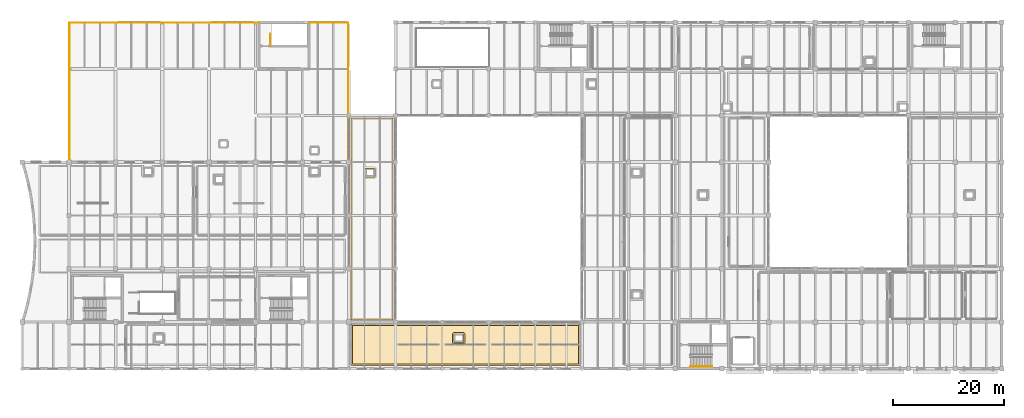
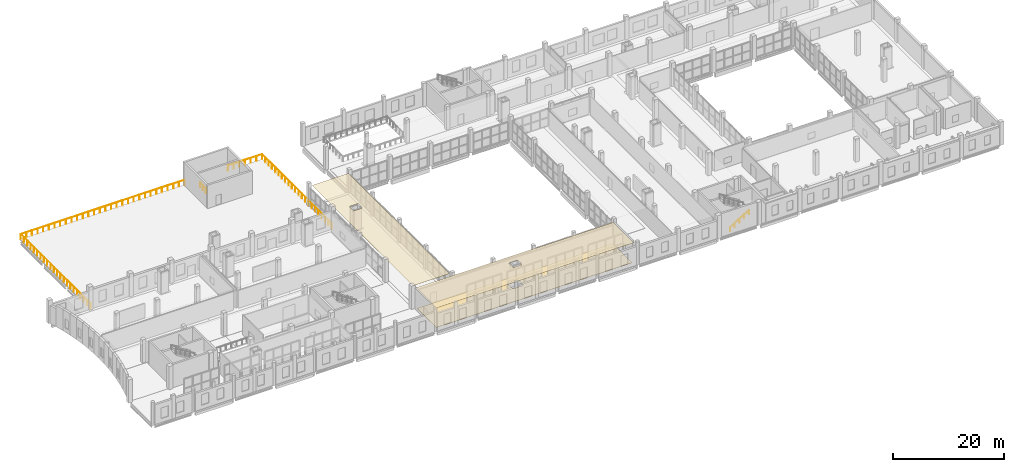
# One storey, part 68 of 73: 4 railings, 3 coverings.
"""IFC4 building model written with IfcOpenShell, lengths in metres."""

from ifc_helpers import new_model, si_unit, direction, frame, origin, origin_2d, place, context, subcontext, project, spatial, polyline, circle, outline, extrude, material, layer, layer_set, type_object, element, save


model = new_model("IFC4")

# Units and contexts
model_context = context("Model", 3, precision=1e-05, world=origin(), true_north=direction((0.0, 1.0)))
body_context = subcontext(model_context, "Body", "Model", "MODEL_VIEW")
ifc_project = project(units=[si_unit("LENGTHUNIT", "METRE"), si_unit("AREAUNIT", "SQUARE_METRE"), si_unit("VOLUMEUNIT", "CUBIC_METRE"), si_unit("PLANEANGLEUNIT", "RADIAN"), si_unit("MASSUNIT", "GRAM", prefix="KILO")], contexts=[model_context])

# Site, building, storey
site_placement = place(None, origin())
site = spatial("IfcSite", under=ifc_project, at=site_placement, CompositionType="ELEMENT")
building_placement = place(site_placement, origin())
building = spatial("IfcBuilding", under=site, at=building_placement, Name="Zulmaris Art Gallery", CompositionType="ELEMENT")
storey_placement = place(building_placement, frame((0.0, 0.0, 10.5)))
storey = spatial("IfcBuildingStorey", under=building, at=storey_placement, Name="L02", CompositionType="ELEMENT", Elevation=10.5)

# Coverings
ifc_material_1 = material(Name="Micro-Perforated Gypsum Acoustic Ceiling", Category="gypsum")
ifc_layer_1 = layer(ifc_material_1, 0.02490234375)
ifc_layer_set_1 = layer_set([ifc_layer_1], Name="Micro-Perforated Gypsum Acoustic Ceiling")
covering_type_1 = type_object("IfcCoveringType", Name="COV-CL01", PredefinedType="CEILING", material=ifc_layer_set_1)
covering_1_placement = place(storey_placement, frame((0.0, 0.0, 4.449951171875)))
element("IfcCovering", 1, at=covering_1_placement, inside=storey, type_object=covering_type_1, Name="Members Lounge & Court Overlook acoustic ceiling", PredefinedType="CEILING", context=body_context, shape_type="SweptSolid", body=[
    extrude(outline(polyline([(83.2099609375, 21.18994140625), (124.389892578125, 21.18994140625), (124.389892578125, 13.81005859375), (83.2099609375, 13.81005859375), (83.2099609375, 21.18994140625)]), holes=[polyline([(101.741455078125, 19.478515625), (101.738525390625, 19.4775390625), (101.736083984375, 19.476318359375), (101.7333984375, 19.474609375), (101.731201171875, 19.472900390625), (101.72900390625, 19.470947265625), (101.72705078125, 19.468994140625), (101.725341796875, 19.466552734375), (101.723876953125, 19.464111328125), (101.722412109375, 19.46142578125), (101.721435546875, 19.45849609375), (101.720703125, 19.455810546875), (101.720458984375, 19.452880859375), (101.719970703125, 19.444580078125), (101.719970703125, 17.955322265625), (101.720458984375, 17.947021484375), (101.720703125, 17.944091796875), (101.721435546875, 17.94140625), (101.722412109375, 17.938720703125), (101.723876953125, 17.93603515625), (101.725341796875, 17.93359375), (101.72705078125, 17.93115234375), (101.72900390625, 17.928955078125), (101.731201171875, 17.927001953125), (101.7333984375, 17.92529296875), (101.736083984375, 17.923828125), (101.738525390625, 17.922607421875), (101.741455078125, 17.92138671875), (101.744140625, 17.9208984375), (101.7470703125, 17.92041015625), (101.75537109375, 17.919921875), (103.444580078125, 17.919921875), (103.452880859375, 17.92041015625), (103.455810546875, 17.9208984375), (103.45849609375, 17.92138671875), (103.46142578125, 17.922607421875), (103.464111328125, 17.923828125), (103.466552734375, 17.92529296875), (103.468994140625, 17.927001953125), (103.470947265625, 17.928955078125), (103.472900390625, 17.93115234375), (103.474609375, 17.93359375), (103.476318359375, 17.93603515625), (103.4775390625, 17.938720703125), (103.478515625, 17.94140625), (103.479248046875, 17.944091796875), (103.4794921875, 17.947021484375), (103.47998046875, 17.955322265625), (103.47998046875, 19.444580078125), (103.4794921875, 19.452880859375), (103.479248046875, 19.455810546875), (103.478515625, 19.45849609375), (103.4775390625, 19.46142578125), (103.476318359375, 19.464111328125), (103.474609375, 19.466552734375), (103.472900390625, 19.468994140625), (103.470947265625, 19.470947265625), (103.468994140625, 19.472900390625), (103.466552734375, 19.474609375), (103.464111328125, 19.476318359375), (103.46142578125, 19.4775390625), (103.45849609375, 19.478515625), (103.455810546875, 19.479248046875), (103.452880859375, 19.4794921875), (103.444580078125, 19.47998046875), (101.75537109375, 19.47998046875), (101.7470703125, 19.4794921875), (101.744140625, 19.479248046875), (101.741455078125, 19.478515625)])]), origin(), (0.0, 0.0, 1.0), 0.030029296875),
])
ifc_material_2 = material(Name="Luminous UV-Diffusing Stretched Gallery Ceiling", Category="gypsum")
ifc_layer_2 = layer(ifc_material_2, 0.034912109375)
ifc_layer_set_2 = layer_set([ifc_layer_2], Name="Luminous UV-Diffusing Stretched Gallery Ceiling")
covering_type_2 = type_object("IfcCoveringType", Name="COV-CL02", PredefinedType="CEILING", material=ifc_layer_set_2)
covering_2_placement = place(storey_placement, frame((0.0, 0.0, 4.449951171875)))
element("IfcCovering", 2, at=covering_2_placement, inside=storey, type_object=covering_type_2, Name="Bridge Miniature Painting Gallery acoustic ceiling", PredefinedType="CEILING", context=body_context, shape_type="SweptSolid", body=[
    extrude(outline(polyline([(83.2099609375, 58.389892578125), (90.7900390625, 58.389892578125), (90.7900390625, 22.010009765625), (83.2099609375, 22.010009765625), (83.2099609375, 58.389892578125)]), holes=[polyline([(85.741455078125, 49.278564453125), (85.738525390625, 49.277587890625), (85.736083984375, 49.276123046875), (85.7333984375, 49.274658203125), (85.731201171875, 49.27294921875), (85.72900390625, 49.27099609375), (85.72705078125, 49.268798828125), (85.725341796875, 49.2666015625), (85.723876953125, 49.263916015625), (85.722412109375, 49.261474609375), (85.721435546875, 49.258544921875), (85.720703125, 49.255859375), (85.720458984375, 49.2529296875), (85.719970703125, 49.24462890625), (85.719970703125, 47.75537109375), (85.720458984375, 47.7470703125), (85.720703125, 47.744140625), (85.721435546875, 47.741455078125), (85.722412109375, 47.738525390625), (85.723876953125, 47.736083984375), (85.725341796875, 47.7333984375), (85.72705078125, 47.731201171875), (85.72900390625, 47.72900390625), (85.731201171875, 47.72705078125), (85.7333984375, 47.725341796875), (85.736083984375, 47.723876953125), (85.738525390625, 47.722412109375), (85.741455078125, 47.721435546875), (85.744140625, 47.720703125), (85.7470703125, 47.720458984375), (85.75537109375, 47.719970703125), (87.444580078125, 47.719970703125), (87.452880859375, 47.720458984375), (87.455810546875, 47.720703125), (87.45849609375, 47.721435546875), (87.46142578125, 47.722412109375), (87.464111328125, 47.723876953125), (87.466552734375, 47.725341796875), (87.468994140625, 47.72705078125), (87.470947265625, 47.72900390625), (87.472900390625, 47.731201171875), (87.474609375, 47.7333984375), (87.476318359375, 47.736083984375), (87.4775390625, 47.738525390625), (87.478515625, 47.741455078125), (87.479248046875, 47.744140625), (87.4794921875, 47.7470703125), (87.47998046875, 47.75537109375), (87.47998046875, 49.24462890625), (87.4794921875, 49.2529296875), (87.479248046875, 49.255859375), (87.478515625, 49.258544921875), (87.4775390625, 49.261474609375), (87.476318359375, 49.263916015625), (87.474609375, 49.2666015625), (87.472900390625, 49.268798828125), (87.470947265625, 49.27099609375), (87.468994140625, 49.27294921875), (87.466552734375, 49.274658203125), (87.464111328125, 49.276123046875), (87.46142578125, 49.277587890625), (87.45849609375, 49.278564453125), (87.455810546875, 49.279296875), (87.452880859375, 49.279541015625), (87.444580078125, 49.280029296875), (85.75537109375, 49.280029296875), (85.7470703125, 49.279541015625), (85.744140625, 49.279296875), (85.741455078125, 49.278564453125)])]), origin(), (0.0, 0.0, 1.0), 0.030029296875),
])
ifc_material_3 = material(Name="Honed Omani Limestone Terrazzo Flooring", Category="masonry")
ifc_layer_3 = layer(ifc_material_3, 0.0400390625)
ifc_layer_set_3 = layer_set([ifc_layer_3], Name="Honed Omani Limestone Terrazzo Flooring")
covering_type_3 = type_object("IfcCoveringType", Name="COV-FL01", PredefinedType="FLOORING", material=ifc_layer_set_3)
covering_3_placement = place(storey_placement, origin())
element("IfcCovering", 3, at=covering_3_placement, inside=storey, type_object=covering_type_3, Name="Members Lounge & Court Overlook finish flooring", PredefinedType="FLOORING", context=body_context, shape_type="SweptSolid", body=[
    extrude(outline(polyline([(124.169921875, 14.030029296875), (83.429931640625, 14.030029296875), (83.429931640625, 20.969970703125), (124.169921875, 20.969970703125), (124.169921875, 14.030029296875)]), holes=[polyline([(101.7255859375, 19.69873046875), (101.701171875, 19.6953125), (101.677490234375, 19.689208984375), (101.654296875, 19.680908203125), (101.632080078125, 19.67041015625), (101.611083984375, 19.657958984375), (101.59130859375, 19.643310546875), (101.5732421875, 19.626708984375), (101.556640625, 19.608642578125), (101.5419921875, 19.5888671875), (101.529541015625, 19.56787109375), (101.51904296875, 19.545654296875), (101.5107421875, 19.522705078125), (101.5048828125, 19.498779296875), (101.501220703125, 19.474609375), (101.5, 19.449951171875), (101.5, 17.949951171875), (101.501220703125, 17.925537109375), (101.5048828125, 17.901123046875), (101.5107421875, 17.87744140625), (101.51904296875, 17.854248046875), (101.529541015625, 17.832275390625), (101.5419921875, 17.81103515625), (101.556640625, 17.79150390625), (101.5732421875, 17.773193359375), (101.59130859375, 17.756591796875), (101.611083984375, 17.7421875), (101.632080078125, 17.7294921875), (101.654296875, 17.718994140625), (101.677490234375, 17.710693359375), (101.701171875, 17.704833984375), (101.7255859375, 17.701171875), (101.75, 17.699951171875), (103.449951171875, 17.699951171875), (103.474609375, 17.701171875), (103.498779296875, 17.704833984375), (103.522705078125, 17.710693359375), (103.545654296875, 17.718994140625), (103.56787109375, 17.7294921875), (103.5888671875, 17.7421875), (103.608642578125, 17.756591796875), (103.626708984375, 17.773193359375), (103.643310546875, 17.79150390625), (103.657958984375, 17.81103515625), (103.67041015625, 17.832275390625), (103.680908203125, 17.854248046875), (103.689208984375, 17.87744140625), (103.6953125, 17.901123046875), (103.69873046875, 17.925537109375), (103.699951171875, 17.949951171875), (103.699951171875, 19.449951171875), (103.69873046875, 19.474609375), (103.6953125, 19.498779296875), (103.689208984375, 19.522705078125), (103.680908203125, 19.545654296875), (103.67041015625, 19.56787109375), (103.657958984375, 19.5888671875), (103.643310546875, 19.608642578125), (103.626708984375, 19.626708984375), (103.608642578125, 19.643310546875), (103.5888671875, 19.657958984375), (103.56787109375, 19.67041015625), (103.545654296875, 19.680908203125), (103.522705078125, 19.689208984375), (103.498779296875, 19.6953125), (103.474609375, 19.69873046875), (103.449951171875, 19.699951171875), (101.75, 19.699951171875), (101.7255859375, 19.69873046875)])]), origin(), (0.0, 0.0, 1.0), 0.034912109375),
])

# Railings
ifc_material_4 = material(Name="Bronze & Laminated Glass Balustrade", Category="glass")
ifc_layer_4 = layer(ifc_material_4, 0.070068359375)
ifc_layer_set_4 = layer_set([ifc_layer_4], Name="Bronze & Laminated Glass Balustrade")
railing_type_1 = type_object("IfcRailingType", Name="RAIL-BAL01", PredefinedType="BALUSTRADE", material=ifc_layer_set_4)
railing_1_placement = place(storey_placement, frame((32.5, 50.39990234375, 0.0)))
element("IfcRailing", 4, at=railing_1_placement, inside=storey, type_object=railing_type_1, Name="V3 Terrace West-North Guard", PredefinedType="BALUSTRADE", context=body_context, shape_type="SweptSolid", body=[
    extrude(circle(Radius=0.02392578125, at=origin_2d()), frame((0.0, 0.0, 1.1357421875), z_axis=(0.0, 1.0, 0.0), x_axis=(-1.0, 0.0, 0.0)), (0.0, 0.0, 1.0), 25.10009765625),
    extrude(circle(Radius=0.02392578125, at=origin_2d()), frame((0.0, 25.10009765625, 1.1357421875), z_axis=(1.0, 0.0, 0.0), x_axis=(0.0, 1.0, 0.0)), (0.0, 0.0, 1.0), 34.10009765625),
    extrude(circle(Radius=0.02099609375, at=origin_2d()), origin(), (0.0, 0.0, 1.0), 1.11181640625),
    extrude(circle(Radius=0.02099609375, at=origin_2d()), frame((0.0, 1.1953125, 0.0)), (0.0, 0.0, 1.0), 1.11181640625),
    extrude(circle(Radius=0.02099609375, at=origin_2d()), frame((0.0, 2.390380859375, 0.0)), (0.0, 0.0, 1.0), 1.11181640625),
    extrude(circle(Radius=0.02099609375, at=origin_2d()), frame((0.0, 3.585693359375, 0.0)), (0.0, 0.0, 1.0), 1.11181640625),
    extrude(circle(Radius=0.02099609375, at=origin_2d()), frame((0.0, 4.781005859375, 0.0)), (0.0, 0.0, 1.0), 1.11181640625),
    extrude(circle(Radius=0.02099609375, at=origin_2d()), frame((0.0, 5.976318359375, 0.0)), (0.0, 0.0, 1.0), 1.11181640625),
    extrude(circle(Radius=0.02099609375, at=origin_2d()), frame((0.0, 7.17138671875, 0.0)), (0.0, 0.0, 1.0), 1.11181640625),
    extrude(circle(Radius=0.02099609375, at=origin_2d()), frame((0.0, 8.36669921875, 0.0)), (0.0, 0.0, 1.0), 1.11181640625),
    extrude(circle(Radius=0.02099609375, at=origin_2d()), frame((0.0, 9.56201171875, 0.0)), (0.0, 0.0, 1.0), 1.11181640625),
    extrude(circle(Radius=0.02099609375, at=origin_2d()), frame((0.0, 10.757080078125, 0.0)), (0.0, 0.0, 1.0), 1.11181640625),
    extrude(circle(Radius=0.02099609375, at=origin_2d()), frame((0.0, 11.952392578125, 0.0)), (0.0, 0.0, 1.0), 1.11181640625),
    extrude(circle(Radius=0.02099609375, at=origin_2d()), frame((0.0, 13.147705078125, 0.0)), (0.0, 0.0, 1.0), 1.11181640625),
    extrude(circle(Radius=0.02099609375, at=origin_2d()), frame((0.0, 14.343017578125, 0.0)), (0.0, 0.0, 1.0), 1.11181640625),
    extrude(circle(Radius=0.02099609375, at=origin_2d()), frame((0.0, 15.5380859375, 0.0)), (0.0, 0.0, 1.0), 1.11181640625),
    extrude(circle(Radius=0.02099609375, at=origin_2d()), frame((0.0, 16.7333984375, 0.0)), (0.0, 0.0, 1.0), 1.11181640625),
    extrude(circle(Radius=0.02099609375, at=origin_2d()), frame((0.0, 17.9287109375, 0.0)), (0.0, 0.0, 1.0), 1.11181640625),
    extrude(circle(Radius=0.02099609375, at=origin_2d()), frame((0.0, 19.123779296875, 0.0)), (0.0, 0.0, 1.0), 1.11181640625),
    extrude(circle(Radius=0.02099609375, at=origin_2d()), frame((0.0, 20.319091796875, 0.0)), (0.0, 0.0, 1.0), 1.11181640625),
    extrude(circle(Radius=0.02099609375, at=origin_2d()), frame((0.0, 21.514404296875, 0.0)), (0.0, 0.0, 1.0), 1.11181640625),
    extrude(circle(Radius=0.02099609375, at=origin_2d()), frame((0.0, 22.709716796875, 0.0)), (0.0, 0.0, 1.0), 1.11181640625),
    extrude(circle(Radius=0.02099609375, at=origin_2d()), frame((0.0, 23.90478515625, 0.0)), (0.0, 0.0, 1.0), 1.11181640625),
    extrude(circle(Radius=0.02099609375, at=origin_2d()), frame((0.0, 25.10009765625, 0.0)), (0.0, 0.0, 1.0), 1.11181640625),
    extrude(circle(Radius=0.02099609375, at=origin_2d()), frame((1.17578125, 25.10009765625, 0.0)), (0.0, 0.0, 1.0), 1.11181640625),
    extrude(circle(Radius=0.02099609375, at=origin_2d()), frame((2.351806640625, 25.10009765625, 0.0)), (0.0, 0.0, 1.0), 1.11181640625),
    extrude(circle(Radius=0.02099609375, at=origin_2d()), frame((3.527587890625, 25.10009765625, 0.0)), (0.0, 0.0, 1.0), 1.11181640625),
    extrude(circle(Radius=0.02099609375, at=origin_2d()), frame((4.703369140625, 25.10009765625, 0.0)), (0.0, 0.0, 1.0), 1.11181640625),
    extrude(circle(Radius=0.02099609375, at=origin_2d()), frame((5.87939453125, 25.10009765625, 0.0)), (0.0, 0.0, 1.0), 1.11181640625),
    extrude(circle(Radius=0.02099609375, at=origin_2d()), frame((7.05517578125, 25.10009765625, 0.0)), (0.0, 0.0, 1.0), 1.11181640625),
    extrude(circle(Radius=0.02099609375, at=origin_2d()), frame((8.23095703125, 25.10009765625, 0.0)), (0.0, 0.0, 1.0), 1.11181640625),
    extrude(circle(Radius=0.02099609375, at=origin_2d()), frame((9.406982421875, 25.10009765625, 0.0)), (0.0, 0.0, 1.0), 1.11181640625),
    extrude(circle(Radius=0.02099609375, at=origin_2d()), frame((10.582763671875, 25.10009765625, 0.0)), (0.0, 0.0, 1.0), 1.11181640625),
    extrude(circle(Radius=0.02099609375, at=origin_2d()), frame((11.758544921875, 25.10009765625, 0.0)), (0.0, 0.0, 1.0), 1.11181640625),
    extrude(circle(Radius=0.02099609375, at=origin_2d()), frame((12.9345703125, 25.10009765625, 0.0)), (0.0, 0.0, 1.0), 1.11181640625),
    extrude(circle(Radius=0.02099609375, at=origin_2d()), frame((14.1103515625, 25.10009765625, 0.0)), (0.0, 0.0, 1.0), 1.11181640625),
    extrude(circle(Radius=0.02099609375, at=origin_2d()), frame((15.2861328125, 25.10009765625, 0.0)), (0.0, 0.0, 1.0), 1.11181640625),
    extrude(circle(Radius=0.02099609375, at=origin_2d()), frame((16.462158203125, 25.10009765625, 0.0)), (0.0, 0.0, 1.0), 1.11181640625),
    extrude(circle(Radius=0.02099609375, at=origin_2d()), frame((17.637939453125, 25.10009765625, 0.0)), (0.0, 0.0, 1.0), 1.11181640625),
    extrude(circle(Radius=0.02099609375, at=origin_2d()), frame((18.81396484375, 25.10009765625, 0.0)), (0.0, 0.0, 1.0), 1.11181640625),
    extrude(circle(Radius=0.02099609375, at=origin_2d()), frame((19.98974609375, 25.10009765625, 0.0)), (0.0, 0.0, 1.0), 1.11181640625),
    extrude(circle(Radius=0.02099609375, at=origin_2d()), frame((21.16552734375, 25.10009765625, 0.0)), (0.0, 0.0, 1.0), 1.11181640625),
    extrude(circle(Radius=0.02099609375, at=origin_2d()), frame((22.341552734375, 25.10009765625, 0.0)), (0.0, 0.0, 1.0), 1.11181640625),
    extrude(circle(Radius=0.02099609375, at=origin_2d()), frame((23.517333984375, 25.10009765625, 0.0)), (0.0, 0.0, 1.0), 1.11181640625),
    extrude(circle(Radius=0.02099609375, at=origin_2d()), frame((24.693115234375, 25.10009765625, 0.0)), (0.0, 0.0, 1.0), 1.11181640625),
    extrude(circle(Radius=0.02099609375, at=origin_2d()), frame((25.869140625, 25.10009765625, 0.0)), (0.0, 0.0, 1.0), 1.11181640625),
    extrude(circle(Radius=0.02099609375, at=origin_2d()), frame((27.044921875, 25.10009765625, 0.0)), (0.0, 0.0, 1.0), 1.11181640625),
    extrude(circle(Radius=0.02099609375, at=origin_2d()), frame((28.220703125, 25.10009765625, 0.0)), (0.0, 0.0, 1.0), 1.11181640625),
    extrude(circle(Radius=0.02099609375, at=origin_2d()), frame((29.396728515625, 25.10009765625, 0.0)), (0.0, 0.0, 1.0), 1.11181640625),
    extrude(circle(Radius=0.02099609375, at=origin_2d()), frame((30.572509765625, 25.10009765625, 0.0)), (0.0, 0.0, 1.0), 1.11181640625),
    extrude(circle(Radius=0.02099609375, at=origin_2d()), frame((31.748291015625, 25.10009765625, 0.0)), (0.0, 0.0, 1.0), 1.11181640625),
    extrude(circle(Radius=0.02099609375, at=origin_2d()), frame((32.92431640625, 25.10009765625, 0.0)), (0.0, 0.0, 1.0), 1.11181640625),
    extrude(circle(Radius=0.02099609375, at=origin_2d()), frame((34.10009765625, 25.10009765625, 0.0)), (0.0, 0.0, 1.0), 1.11181640625),
])
railing_2_placement = place(storey_placement, frame((75.60009765625, 75.5, 0.0)))
element("IfcRailing", 5, at=railing_2_placement, inside=storey, type_object=railing_type_1, Name="V3 Terrace East-North Guard", PredefinedType="BALUSTRADE", context=body_context, shape_type="SweptSolid", body=[
    extrude(circle(Radius=0.02392578125, at=origin_2d()), frame((0.0, 0.0, 1.1357421875), z_axis=(1.0, 0.0, 0.0), x_axis=(0.0, 1.0, 0.0)), (0.0, 0.0, 1.0), 7.099853515625),
    extrude(circle(Radius=0.02392578125, at=origin_2d()), frame((7.099853515625, 0.0, 1.1357421875), z_axis=(0.0, -1.0, 0.0), x_axis=(1.0, 0.0, 0.0)), (0.0, 0.0, 1.0), 25.10009765625),
    extrude(circle(Radius=0.02099609375, at=origin_2d()), origin(), (0.0, 0.0, 1.0), 1.11181640625),
    extrude(circle(Radius=0.02099609375, at=origin_2d()), frame((1.183349609375, 0.0, 0.0)), (0.0, 0.0, 1.0), 1.11181640625),
    extrude(circle(Radius=0.02099609375, at=origin_2d()), frame((2.36669921875, 0.0, 0.0)), (0.0, 0.0, 1.0), 1.11181640625),
    extrude(circle(Radius=0.02099609375, at=origin_2d()), frame((3.5498046875, 0.0, 0.0)), (0.0, 0.0, 1.0), 1.11181640625),
    extrude(circle(Radius=0.02099609375, at=origin_2d()), frame((4.733154296875, 0.0, 0.0)), (0.0, 0.0, 1.0), 1.11181640625),
    extrude(circle(Radius=0.02099609375, at=origin_2d()), frame((5.91650390625, 0.0, 0.0)), (0.0, 0.0, 1.0), 1.11181640625),
    extrude(circle(Radius=0.02099609375, at=origin_2d()), frame((7.099853515625, 0.0, 0.0)), (0.0, 0.0, 1.0), 1.11181640625),
    extrude(circle(Radius=0.02099609375, at=origin_2d()), frame((7.099853515625, -1.1953125, 0.0)), (0.0, 0.0, 1.0), 1.11181640625),
    extrude(circle(Radius=0.02099609375, at=origin_2d()), frame((7.099853515625, -2.390380859375, 0.0)), (0.0, 0.0, 1.0), 1.11181640625),
    extrude(circle(Radius=0.02099609375, at=origin_2d()), frame((7.099853515625, -3.585693359375, 0.0)), (0.0, 0.0, 1.0), 1.11181640625),
    extrude(circle(Radius=0.02099609375, at=origin_2d()), frame((7.099853515625, -4.781005859375, 0.0)), (0.0, 0.0, 1.0), 1.11181640625),
    extrude(circle(Radius=0.02099609375, at=origin_2d()), frame((7.099853515625, -5.976318359375, 0.0)), (0.0, 0.0, 1.0), 1.11181640625),
    extrude(circle(Radius=0.02099609375, at=origin_2d()), frame((7.099853515625, -7.17138671875, 0.0)), (0.0, 0.0, 1.0), 1.11181640625),
    extrude(circle(Radius=0.02099609375, at=origin_2d()), frame((7.099853515625, -8.36669921875, 0.0)), (0.0, 0.0, 1.0), 1.11181640625),
    extrude(circle(Radius=0.02099609375, at=origin_2d()), frame((7.099853515625, -9.56201171875, 0.0)), (0.0, 0.0, 1.0), 1.11181640625),
    extrude(circle(Radius=0.02099609375, at=origin_2d()), frame((7.099853515625, -10.757080078125, 0.0)), (0.0, 0.0, 1.0), 1.11181640625),
    extrude(circle(Radius=0.02099609375, at=origin_2d()), frame((7.099853515625, -11.952392578125, 0.0)), (0.0, 0.0, 1.0), 1.11181640625),
    extrude(circle(Radius=0.02099609375, at=origin_2d()), frame((7.099853515625, -13.147705078125, 0.0)), (0.0, 0.0, 1.0), 1.11181640625),
    extrude(circle(Radius=0.02099609375, at=origin_2d()), frame((7.099853515625, -14.343017578125, 0.0)), (0.0, 0.0, 1.0), 1.11181640625),
    extrude(circle(Radius=0.02099609375, at=origin_2d()), frame((7.099853515625, -15.5380859375, 0.0)), (0.0, 0.0, 1.0), 1.11181640625),
    extrude(circle(Radius=0.02099609375, at=origin_2d()), frame((7.099853515625, -16.7333984375, 0.0)), (0.0, 0.0, 1.0), 1.11181640625),
    extrude(circle(Radius=0.02099609375, at=origin_2d()), frame((7.099853515625, -17.9287109375, 0.0)), (0.0, 0.0, 1.0), 1.11181640625),
    extrude(circle(Radius=0.02099609375, at=origin_2d()), frame((7.099853515625, -19.123779296875, 0.0)), (0.0, 0.0, 1.0), 1.11181640625),
    extrude(circle(Radius=0.02099609375, at=origin_2d()), frame((7.099853515625, -20.319091796875, 0.0)), (0.0, 0.0, 1.0), 1.11181640625),
    extrude(circle(Radius=0.02099609375, at=origin_2d()), frame((7.099853515625, -21.514404296875, 0.0)), (0.0, 0.0, 1.0), 1.11181640625),
    extrude(circle(Radius=0.02099609375, at=origin_2d()), frame((7.099853515625, -22.709716796875, 0.0)), (0.0, 0.0, 1.0), 1.11181640625),
    extrude(circle(Radius=0.02099609375, at=origin_2d()), frame((7.099853515625, -23.90478515625, 0.0)), (0.0, 0.0, 1.0), 1.11181640625),
    extrude(circle(Radius=0.02099609375, at=origin_2d()), frame((7.099853515625, -25.10009765625, 0.0)), (0.0, 0.0, 1.0), 1.11181640625),
])
ifc_material_5 = material(Name="Steel S355J2", Category="steel")
ifc_layer_5 = layer(ifc_material_5, 0.050048828125)
ifc_layer_set_5 = layer_set([ifc_layer_5], Name="Steel S355J2")
railing_type_2 = type_object("IfcRailingType", Name="RAIL-STGRD", PredefinedType="GUARDRAIL", material=ifc_layer_set_5)
railing_3_placement = place(storey_placement, frame((68.64990234375, 71.409912109375, 0.0)))
element("IfcRailing", 6, at=railing_3_placement, inside=storey, type_object=railing_type_2, Name="L02 ST7 top well guard 1", PredefinedType="GUARDRAIL", context=body_context, shape_type="SweptSolid", body=[
    extrude(circle(Radius=0.02392578125, at=origin_2d()), frame((0.0, 0.0, 1.076171875), z_axis=(0.0, 1.0, 0.0), x_axis=(-1.0, 0.0, 0.0)), (0.0, 0.0, 1.0), 2.090087890625),
    extrude(circle(Radius=0.02099609375, at=origin_2d()), origin(), (0.0, 0.0, 1.0), 1.052001953125),
    extrude(circle(Radius=0.02099609375, at=origin_2d()), frame((0.0, 1.044921875, 0.0)), (0.0, 0.0, 1.0), 1.052001953125),
    extrude(circle(Radius=0.02099609375, at=origin_2d()), frame((0.0, 2.090087890625, 0.0)), (0.0, 0.0, 1.0), 1.052001953125),
])
ifc_material_6 = material(Name="Brushed Bronze Handrail", Category="steel")
ifc_layer_6 = layer(ifc_material_6, 0.048095703125)
ifc_layer_set_6 = layer_set([ifc_layer_6], Name="Brushed Bronze Handrail")
railing_type_3 = type_object("IfcRailingType", Name="RAIL-STHND", PredefinedType="HANDRAIL", material=ifc_layer_set_6)
railing_4_placement = place(storey_placement, frame((144.300048828125, 13.60009765625, 0.169921875)))
element("IfcRailing", 7, at=railing_4_placement, inside=storey, type_object=railing_type_3, Name="L02 ST3 stair handrail 1", PredefinedType="HANDRAIL", context=body_context, shape_type="SweptSolid", body=[
    extrude(circle(Radius=0.02392578125, at=origin_2d()), frame((0.0, 0.0, 0.8759765625), z_axis=(0.854770645689, 0.0, 0.519005918337), x_axis=(0.0, 1.0, 0.0)), (0.0, 0.0, 1.0), 4.5859375),
    extrude(circle(Radius=0.02099609375, at=origin_2d()), origin(), (0.0, 0.0, 1.0), 0.851806640625),
    extrude(circle(Radius=0.02099609375, at=origin_2d()), frame((0.97998046875, 0.0, 0.594970703125)), (0.0, 0.0, 1.0), 0.851806640625),
    extrude(circle(Radius=0.02099609375, at=origin_2d()), frame((1.9599609375, 0.0, 1.18994140625)), (0.0, 0.0, 1.0), 0.851806640625),
    extrude(circle(Radius=0.02099609375, at=origin_2d()), frame((2.93994140625, 0.0, 1.78515625)), (0.0, 0.0, 1.0), 0.851806640625),
    extrude(circle(Radius=0.02099609375, at=origin_2d()), frame((3.919921875, 0.0, 2.380126953125)), (0.0, 0.0, 1.0), 0.851806640625),
])

save(model, "model.ifc")
